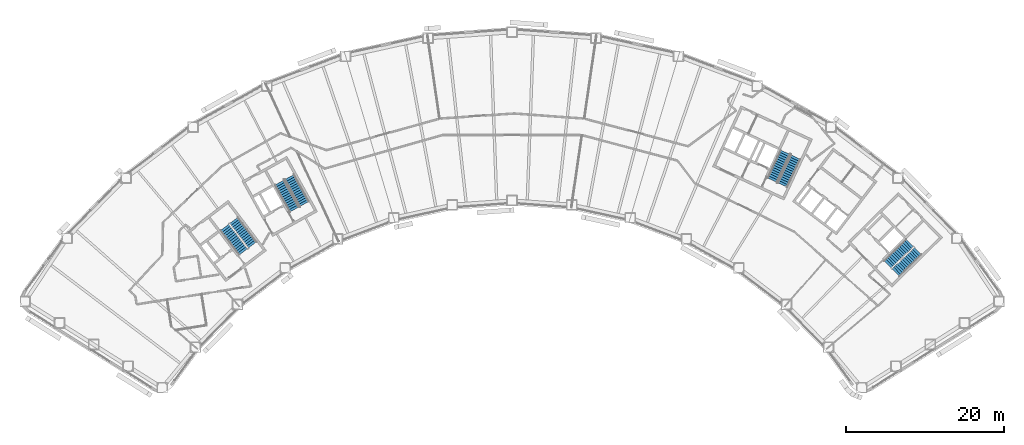
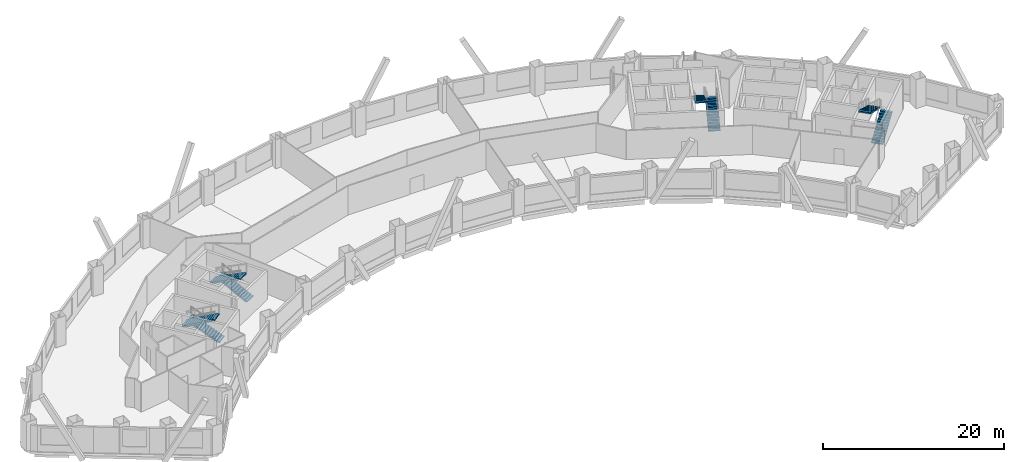
# One storey, part 9 of 11: 8 stair flights, 4 elements without a shape of their own.
"""IFC4 building model written with IfcOpenShell, lengths in metres."""

from ifc_helpers import new_model, si_unit, direction, frame, origin, place, context, subcontext, project, spatial, polyline, outline, extrude, material, type_object, element, aggregate, save


model = new_model("IFC4")

# Units and contexts
model_context = context("Model", 3, precision=1e-05, world=origin(), true_north=direction((0.0, 1.0)))
body_context = subcontext(model_context, "Body", "Model", "MODEL_VIEW")
ifc_project = project(units=[si_unit("LENGTHUNIT", "METRE"), si_unit("AREAUNIT", "SQUARE_METRE"), si_unit("VOLUMEUNIT", "CUBIC_METRE"), si_unit("PLANEANGLEUNIT", "RADIAN"), si_unit("MASSUNIT", "GRAM", prefix="KILO")], contexts=[model_context])

# Site, building, storey
site_placement = place(None, origin())
site = spatial("IfcSite", under=ifc_project, at=site_placement, CompositionType="ELEMENT")
building_placement = place(site_placement, origin())
building = spatial("IfcBuilding", under=site, at=building_placement, Name="Tuul Gate Civic Tower", CompositionType="ELEMENT")
storey_placement = place(building_placement, frame((0.0, 0.0, 39.89990234375)))
storey = spatial("IfcBuildingStorey", under=building, at=storey_placement, Name="Level 08", CompositionType="ELEMENT", Elevation=39.89990234375)

# Stair, stair flights
ifc_material_1 = material(Name="Concrete C40/50", Category="concrete")
stair_type = type_object("IfcStairType", Name="Exit stair", PredefinedType="HALF_TURN_STAIR", material=ifc_material_1)
stair_1_placement = place(storey_placement, origin())
stair_1 = element("IfcStair", 1, at=stair_1_placement, inside=storey, type_object=stair_type, Name="Level 08 ST-1", PredefinedType="HALF_TURN_STAIR")
ifc_material_2 = material(Name="Concrete C40/50", Category="concrete")
stair_flight_type = type_object("IfcStairFlightType", Name="Exit stair flight", PredefinedType="STRAIGHT", material=ifc_material_2)
stair_flight_1_placement = place(storey_placement, frame((-32.875244140625, -13.066650390625, 0.0), z_axis=(0.0, 0.0, 1.0), x_axis=(-0.605764474941, 0.795644016442, 0.0)))
stair_flight_1 = element("IfcStairFlight", 2, at=stair_flight_1_placement, type_object=stair_flight_type, Name="ST-1 flight 1", NumberOfRisers=14, NumberOfTreads=13, PredefinedType="STRAIGHT", RiserHeight=0.15, TreadLength=0.3, context=body_context, shape_type="SweptSolid", body=[
    extrude(outline(polyline([(0.0, 0.0), (0.0, 0.14990234375), (0.300048828125, 0.14990234375), (0.300048828125, 0.300048828125), (0.60009765625, 0.300048828125), (0.60009765625, 0.449951171875), (0.89990234375, 0.449951171875), (0.89990234375, 0.60009765625), (1.199951171875, 0.60009765625), (1.199951171875, 0.75), (1.5, 0.75), (1.5, 0.89990234375), (1.800048828125, 0.89990234375), (1.800048828125, 1.050048828125), (2.10009765625, 1.050048828125), (2.10009765625, 1.199951171875), (2.39990234375, 1.199951171875), (2.39990234375, 1.35009765625), (2.699951171875, 1.35009765625), (2.699951171875, 1.5), (3.0, 1.5), (3.0, 1.64990234375), (3.300048828125, 1.64990234375), (3.300048828125, 1.800048828125), (3.60009765625, 1.800048828125), (3.60009765625, 1.949951171875), (3.89990234375, 1.949951171875), (3.89990234375, 2.10009765625), (3.89990234375, 1.782470703125), (0.335205078125, 0.0), (0.0, 0.0)])), frame((0.0, 0.675048828125, 0.0), z_axis=(0.0, -1.0, 0.0), x_axis=(1.0, 0.0, 0.0)), (0.0, 0.0, 1.0), 1.35009765625),
])
stair_flight_2_placement = place(storey_placement, frame((-36.391357421875, -10.842041015625, 2.10009765625), z_axis=(0.0, 0.0, 1.0), x_axis=(0.605764474941, -0.795644016442, 0.0)))
stair_flight_2 = element("IfcStairFlight", 3, at=stair_flight_2_placement, type_object=stair_flight_type, Name="ST-1 flight 2", NumberOfRisers=14, NumberOfTreads=13, PredefinedType="STRAIGHT", RiserHeight=0.15, TreadLength=0.3, context=body_context, shape_type="SweptSolid", body=[
    extrude(outline(polyline([(0.0, 0.0), (0.0, 0.14990234375), (0.300048828125, 0.14990234375), (0.300048828125, 0.300048828125), (0.60009765625, 0.300048828125), (0.60009765625, 0.449951171875), (0.89990234375, 0.449951171875), (0.89990234375, 0.60009765625), (1.199951171875, 0.60009765625), (1.199951171875, 0.75), (1.5, 0.75), (1.5, 0.89990234375), (1.800048828125, 0.89990234375), (1.800048828125, 1.050048828125), (2.10009765625, 1.050048828125), (2.10009765625, 1.199951171875), (2.39990234375, 1.199951171875), (2.39990234375, 1.35009765625), (2.699951171875, 1.35009765625), (2.699951171875, 1.5), (3.0, 1.5), (3.0, 1.64990234375), (3.300048828125, 1.64990234375), (3.300048828125, 1.800048828125), (3.60009765625, 1.800048828125), (3.60009765625, 1.949951171875), (3.89990234375, 1.949951171875), (3.89990234375, 2.10009765625), (3.89990234375, 1.782470703125), (0.335205078125, 0.0), (0.0, 0.0)])), frame((0.0, 0.675048828125, 0.0), z_axis=(0.0, -1.0, 0.0), x_axis=(1.0, 0.0, 0.0)), (0.0, 0.0, 1.0), 1.35009765625),
])
aggregate(stair_1, [stair_flight_1, stair_flight_2])

stair_2_placement = place(storey_placement, origin())
stair_2 = element("IfcStair", 4, at=stair_2_placement, inside=storey, type_object=stair_type, Name="Level 08 ST-2", PredefinedType="HALF_TURN_STAIR")
stair_flight_3_placement = place(storey_placement, frame((-26.29150390625, -7.87646484375, 0.0), z_axis=(0.0, 0.0, 1.0), x_axis=(-0.484761763766, 0.874646232708, 0.0)))
stair_flight_3 = element("IfcStairFlight", 5, at=stair_flight_3_placement, type_object=stair_flight_type, Name="ST-2 flight 1", NumberOfRisers=14, NumberOfTreads=13, PredefinedType="STRAIGHT", RiserHeight=0.15, TreadLength=0.3, context=body_context, shape_type="SweptSolid", body=[
    extrude(outline(polyline([(0.0, 0.0), (0.0, 0.14990234375), (0.300048828125, 0.14990234375), (0.300048828125, 0.300048828125), (0.60009765625, 0.300048828125), (0.60009765625, 0.449951171875), (0.89990234375, 0.449951171875), (0.89990234375, 0.60009765625), (1.199951171875, 0.60009765625), (1.199951171875, 0.75), (1.5, 0.75), (1.5, 0.89990234375), (1.800048828125, 0.89990234375), (1.800048828125, 1.050048828125), (2.10009765625, 1.050048828125), (2.10009765625, 1.199951171875), (2.39990234375, 1.199951171875), (2.39990234375, 1.35009765625), (2.699951171875, 1.35009765625), (2.699951171875, 1.5), (3.0, 1.5), (3.0, 1.64990234375), (3.300048828125, 1.64990234375), (3.300048828125, 1.800048828125), (3.60009765625, 1.800048828125), (3.60009765625, 1.949951171875), (3.89990234375, 1.949951171875), (3.89990234375, 2.10009765625), (3.89990234375, 1.782470703125), (0.335205078125, 0.0), (0.0, 0.0)])), frame((0.0, 0.675048828125, 0.0), z_axis=(0.0, -1.0, 0.0), x_axis=(1.0, 0.0, 0.0)), (0.0, 0.0, 1.0), 1.35009765625),
])
stair_flight_4_placement = place(storey_placement, frame((-29.450439453125, -5.168212890625, 2.10009765625), z_axis=(0.0, 0.0, 1.0), x_axis=(0.484761763766, -0.874646232708, 0.0)))
stair_flight_4 = element("IfcStairFlight", 6, at=stair_flight_4_placement, type_object=stair_flight_type, Name="ST-2 flight 2", NumberOfRisers=14, NumberOfTreads=13, PredefinedType="STRAIGHT", RiserHeight=0.15, TreadLength=0.3, context=body_context, shape_type="SweptSolid", body=[
    extrude(outline(polyline([(0.0, 0.0), (0.0, 0.14990234375), (0.300048828125, 0.14990234375), (0.300048828125, 0.300048828125), (0.60009765625, 0.300048828125), (0.60009765625, 0.449951171875), (0.89990234375, 0.449951171875), (0.89990234375, 0.60009765625), (1.199951171875, 0.60009765625), (1.199951171875, 0.75), (1.5, 0.75), (1.5, 0.89990234375), (1.800048828125, 0.89990234375), (1.800048828125, 1.050048828125), (2.10009765625, 1.050048828125), (2.10009765625, 1.199951171875), (2.39990234375, 1.199951171875), (2.39990234375, 1.35009765625), (2.699951171875, 1.35009765625), (2.699951171875, 1.5), (3.0, 1.5), (3.0, 1.64990234375), (3.300048828125, 1.64990234375), (3.300048828125, 1.800048828125), (3.60009765625, 1.800048828125), (3.60009765625, 1.949951171875), (3.89990234375, 1.949951171875), (3.89990234375, 2.10009765625), (3.89990234375, 1.782470703125), (0.335205078125, 0.0), (0.0, 0.0)])), frame((0.0, 0.675048828125, 0.0), z_axis=(0.0, -1.0, 0.0), x_axis=(1.0, 0.0, 0.0)), (0.0, 0.0, 1.0), 1.35009765625),
])
aggregate(stair_2, [stair_flight_3, stair_flight_4])

stair_3_placement = place(storey_placement, origin())
stair_3 = element("IfcStair", 7, at=stair_3_placement, inside=storey, type_object=stair_type, Name="Level 08 ST-3", PredefinedType="HALF_TURN_STAIR")
stair_flight_5_placement = place(storey_placement, frame((48.61376953125, -16.581787109375, 0.0), z_axis=(0.0, 0.0, 1.0), x_axis=(0.714127290059, 0.700015866672, 0.0)))
stair_flight_5 = element("IfcStairFlight", 8, at=stair_flight_5_placement, type_object=stair_flight_type, Name="ST-3 flight 1", NumberOfRisers=14, NumberOfTreads=13, PredefinedType="STRAIGHT", RiserHeight=0.15, TreadLength=0.3, context=body_context, shape_type="SweptSolid", body=[
    extrude(outline(polyline([(0.0, 0.0), (0.0, 0.14990234375), (0.300048828125, 0.14990234375), (0.300048828125, 0.300048828125), (0.60009765625, 0.300048828125), (0.60009765625, 0.449951171875), (0.89990234375, 0.449951171875), (0.89990234375, 0.60009765625), (1.199951171875, 0.60009765625), (1.199951171875, 0.75), (1.5, 0.75), (1.5, 0.89990234375), (1.800048828125, 0.89990234375), (1.800048828125, 1.050048828125), (2.10009765625, 1.050048828125), (2.10009765625, 1.199951171875), (2.39990234375, 1.199951171875), (2.39990234375, 1.35009765625), (2.699951171875, 1.35009765625), (2.699951171875, 1.5), (3.0, 1.5), (3.0, 1.64990234375), (3.300048828125, 1.64990234375), (3.300048828125, 1.800048828125), (3.60009765625, 1.800048828125), (3.60009765625, 1.949951171875), (3.89990234375, 1.949951171875), (3.89990234375, 2.10009765625), (3.89990234375, 1.782470703125), (0.335205078125, 0.0), (0.0, 0.0)])), frame((0.0, 0.675048828125, 0.0), z_axis=(0.0, -1.0, 0.0), x_axis=(1.0, 0.0, 0.0)), (0.0, 0.0, 1.0), 1.35009765625),
])
stair_flight_6_placement = place(storey_placement, frame((50.3837890625, -12.816162109375, 2.10009765625), z_axis=(0.0, 0.0, 1.0), x_axis=(-0.714127290059, -0.700015866672, 0.0)))
stair_flight_6 = element("IfcStairFlight", 9, at=stair_flight_6_placement, type_object=stair_flight_type, Name="ST-3 flight 2", NumberOfRisers=14, NumberOfTreads=13, PredefinedType="STRAIGHT", RiserHeight=0.15, TreadLength=0.3, context=body_context, shape_type="SweptSolid", body=[
    extrude(outline(polyline([(0.0, 0.0), (0.0, 0.14990234375), (0.300048828125, 0.14990234375), (0.300048828125, 0.300048828125), (0.60009765625, 0.300048828125), (0.60009765625, 0.449951171875), (0.89990234375, 0.449951171875), (0.89990234375, 0.60009765625), (1.199951171875, 0.60009765625), (1.199951171875, 0.75), (1.5, 0.75), (1.5, 0.89990234375), (1.800048828125, 0.89990234375), (1.800048828125, 1.050048828125), (2.10009765625, 1.050048828125), (2.10009765625, 1.199951171875), (2.39990234375, 1.199951171875), (2.39990234375, 1.35009765625), (2.699951171875, 1.35009765625), (2.699951171875, 1.5), (3.0, 1.5), (3.0, 1.64990234375), (3.300048828125, 1.64990234375), (3.300048828125, 1.800048828125), (3.60009765625, 1.800048828125), (3.60009765625, 1.949951171875), (3.89990234375, 1.949951171875), (3.89990234375, 2.10009765625), (3.89990234375, 1.782470703125), (0.335205078125, 0.0), (0.0, 0.0)])), frame((0.0, 0.675048828125, 0.0), z_axis=(0.0, -1.0, 0.0), x_axis=(1.0, 0.0, 0.0)), (0.0, 0.0, 1.0), 1.35009765625),
])
aggregate(stair_3, [stair_flight_5, stair_flight_6])

stair_4_placement = place(storey_placement, origin())
stair_4 = element("IfcStair", 10, at=stair_4_placement, inside=storey, type_object=stair_type, Name="Level 08 ST-4", PredefinedType="HALF_TURN_STAIR")
stair_flight_7_placement = place(storey_placement, frame((34.278564453125, -5.478515625, 0.0), z_axis=(0.0, 0.0, 1.0), x_axis=(0.422576295988, 0.906327354806, 0.0)))
stair_flight_7 = element("IfcStairFlight", 11, at=stair_flight_7_placement, type_object=stair_flight_type, Name="ST-4 flight 1", NumberOfRisers=14, NumberOfTreads=13, PredefinedType="STRAIGHT", RiserHeight=0.15, TreadLength=0.3, context=body_context, shape_type="SweptSolid", body=[
    extrude(outline(polyline([(0.0, 0.0), (0.0, 0.14990234375), (0.300048828125, 0.14990234375), (0.300048828125, 0.300048828125), (0.60009765625, 0.300048828125), (0.60009765625, 0.449951171875), (0.89990234375, 0.449951171875), (0.89990234375, 0.60009765625), (1.199951171875, 0.60009765625), (1.199951171875, 0.75), (1.5, 0.75), (1.5, 0.89990234375), (1.800048828125, 0.89990234375), (1.800048828125, 1.050048828125), (2.10009765625, 1.050048828125), (2.10009765625, 1.199951171875), (2.39990234375, 1.199951171875), (2.39990234375, 1.35009765625), (2.699951171875, 1.35009765625), (2.699951171875, 1.5), (3.0, 1.5), (3.0, 1.64990234375), (3.300048828125, 1.64990234375), (3.300048828125, 1.800048828125), (3.60009765625, 1.800048828125), (3.60009765625, 1.949951171875), (3.89990234375, 1.949951171875), (3.89990234375, 2.10009765625), (3.89990234375, 1.782470703125), (0.335205078125, 0.0), (0.0, 0.0)])), frame((0.0, 0.675048828125, 0.0), z_axis=(0.0, -1.0, 0.0), x_axis=(1.0, 0.0, 0.0)), (0.0, 0.0, 1.0), 1.35009765625),
])
stair_flight_8_placement = place(storey_placement, frame((34.612548828125, -1.3310546875, 2.10009765625), z_axis=(0.0, 0.0, 1.0), x_axis=(-0.422576295988, -0.906327354806, 0.0)))
stair_flight_8 = element("IfcStairFlight", 12, at=stair_flight_8_placement, type_object=stair_flight_type, Name="ST-4 flight 2", NumberOfRisers=14, NumberOfTreads=13, PredefinedType="STRAIGHT", RiserHeight=0.15, TreadLength=0.3, context=body_context, shape_type="SweptSolid", body=[
    extrude(outline(polyline([(0.0, 0.0), (0.0, 0.14990234375), (0.300048828125, 0.14990234375), (0.300048828125, 0.300048828125), (0.60009765625, 0.300048828125), (0.60009765625, 0.449951171875), (0.89990234375, 0.449951171875), (0.89990234375, 0.60009765625), (1.199951171875, 0.60009765625), (1.199951171875, 0.75), (1.5, 0.75), (1.5, 0.89990234375), (1.800048828125, 0.89990234375), (1.800048828125, 1.050048828125), (2.10009765625, 1.050048828125), (2.10009765625, 1.199951171875), (2.39990234375, 1.199951171875), (2.39990234375, 1.35009765625), (2.699951171875, 1.35009765625), (2.699951171875, 1.5), (3.0, 1.5), (3.0, 1.64990234375), (3.300048828125, 1.64990234375), (3.300048828125, 1.800048828125), (3.60009765625, 1.800048828125), (3.60009765625, 1.949951171875), (3.89990234375, 1.949951171875), (3.89990234375, 2.10009765625), (3.89990234375, 1.782470703125), (0.335205078125, 0.0), (0.0, 0.0)])), frame((0.0, 0.675048828125, 0.0), z_axis=(0.0, -1.0, 0.0), x_axis=(1.0, 0.0, 0.0)), (0.0, 0.0, 1.0), 1.35009765625),
])
aggregate(stair_4, [stair_flight_7, stair_flight_8])

save(model, "model.ifc")
